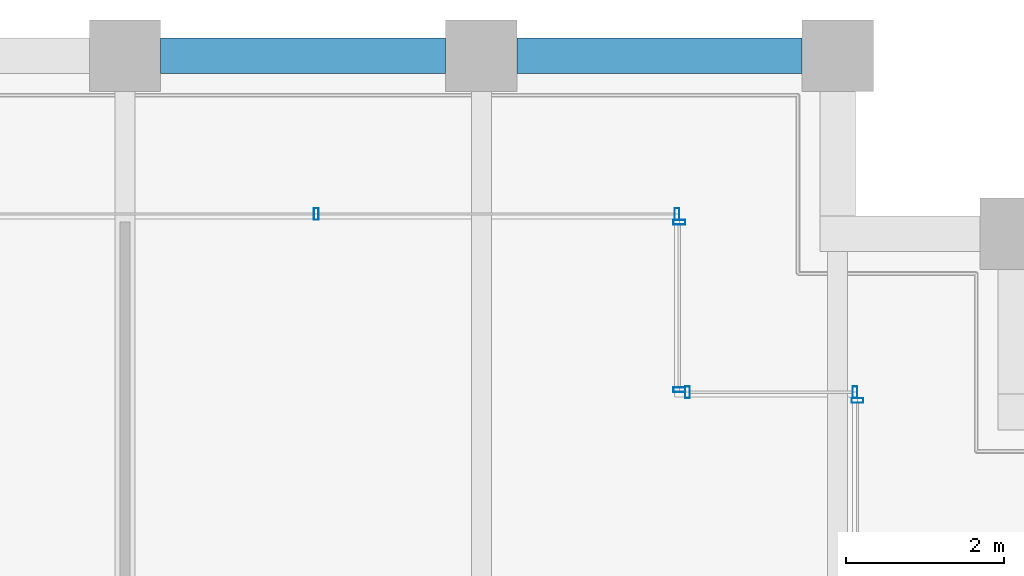
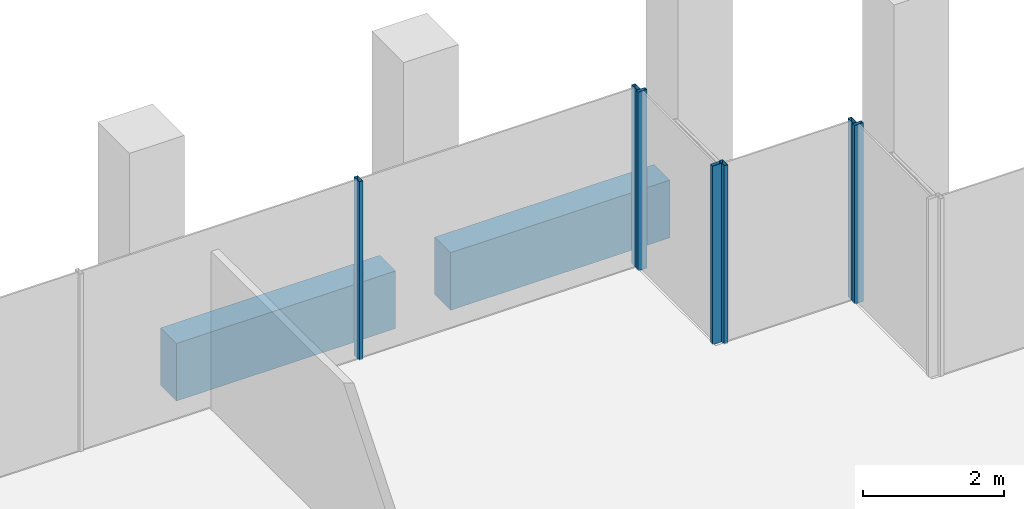
# One storey, part 26 of 40: 7 members, 2 beams, 4 elements without a shape of their own.
"""IFC4 building model written with IfcOpenShell, lengths in metres."""

from ifc_helpers import new_model, si_unit, direction, frame, origin, origin_2d, place, context, subcontext, project, spatial, rectangle, hollow_rectangle, extrude, material, material_profile, profile_set, type_object, element, aggregate, save


model = new_model("IFC4")

# Units and contexts
model_context = context("Model", 3, precision=1e-05, world=origin(), true_north=direction((0.0, 1.0)))
body_context = subcontext(model_context, "Body", "Model", "MODEL_VIEW")
ifc_project = project(units=[si_unit("LENGTHUNIT", "METRE"), si_unit("AREAUNIT", "SQUARE_METRE"), si_unit("VOLUMEUNIT", "CUBIC_METRE"), si_unit("PLANEANGLEUNIT", "RADIAN"), si_unit("MASSUNIT", "GRAM", prefix="KILO")], contexts=[model_context])

# Site, building, storey
site_placement = place(None, origin())
site = spatial("IfcSite", under=ifc_project, at=site_placement, CompositionType="ELEMENT")
building_placement = place(site_placement, origin())
building = spatial("IfcBuilding", under=site, at=building_placement, Name="Altepetl Exchange Towers", CompositionType="ELEMENT")
storey_placement = place(building_placement, frame((0.0, 0.0, 151.0)))
storey = spatial("IfcBuildingStorey", under=building, at=storey_placement, Name="L37", CompositionType="ELEMENT", Elevation=151.0)

# Curtain wall, member
ifc_material_1 = material(Name="Aluminium 6063-T6 glazing", Category="aluminium")
curtain_wall_type = type_object("IfcCurtainWallType", Name="Loggia glazing system", PredefinedType="NOTDEFINED", material=ifc_material_1)
curtain_wall_1_placement = place(storey_placement, origin())
curtain_wall_1 = element("IfcCurtainWall", 1, at=curtain_wall_1_placement, inside=storey, type_object=curtain_wall_type, Name="CW1 run", PredefinedType="NOTDEFINED")
ifc_material_2 = material(Name="Aluminium 6063-T6", Category="aluminium")
ifc_material_profile_1 = material_profile(ifc_material_2, hollow_rectangle(XDim=0.06005859375, YDim=0.14990234375, WallThickness=0.0029296875, at=origin_2d()), Name="Mullion 60x150 aluminium")
ifc_profile_set_1 = profile_set([ifc_material_profile_1], Name="Aluminium 6063-T6")
member_type = type_object("IfcMemberType", Name="Mullion 60x150 aluminium", PredefinedType="MULLION", material=ifc_profile_set_1)
member_1_placement = place(storey_placement, frame((67.75, 67.64501953125, 0.0), z_axis=(0.0, 0.0, 1.0), x_axis=(0.0, 1.0, 0.0)))
member_1 = element("IfcMember", 2, at=member_1_placement, type_object=member_type, Name="MU1 mullion", PredefinedType="MULLION", context=body_context, shape_type="SweptSolid", body=[
    extrude(hollow_rectangle(XDim=0.06005859375, YDim=0.14990234375, WallThickness=0.0029296875, at=origin_2d()), origin(), (0.0, 0.0, 1.0), 3.10009765625),
])
aggregate(curtain_wall_1, [member_1])

# Curtain wall, members
curtain_wall_2_placement = place(storey_placement, origin())
curtain_wall_2 = element("IfcCurtainWall", 3, at=curtain_wall_2_placement, inside=storey, type_object=curtain_wall_type, Name="CW1 run", PredefinedType="NOTDEFINED")
member_2_placement = place(storey_placement, frame((67.719970703125, 67.75, 0.0), z_axis=(0.0, 0.0, 1.0), x_axis=(-1.0, 0.0, 0.0)))
member_2 = element("IfcMember", 4, at=member_2_placement, type_object=member_type, Name="MU1 mullion", PredefinedType="MULLION", context=body_context, shape_type="SweptSolid", body=[
    extrude(hollow_rectangle(XDim=0.06005859375, YDim=0.14990234375, WallThickness=0.0029296875, at=origin_2d()), origin(), (0.0, 0.0, 1.0), 3.10009765625),
])
member_3_placement = place(storey_placement, frame((65.60498046875, 67.75, 0.0), z_axis=(0.0, 0.0, 1.0), x_axis=(-1.0, 0.0, 0.0)))
member_3 = element("IfcMember", 5, at=member_3_placement, type_object=member_type, Name="MU1 mullion", PredefinedType="MULLION", context=body_context, shape_type="SweptSolid", body=[
    extrude(hollow_rectangle(XDim=0.06005859375, YDim=0.14990234375, WallThickness=0.0029296875, at=origin_2d()), origin(), (0.0, 0.0, 1.0), 3.10009765625),
])
aggregate(curtain_wall_2, [member_2, member_3])

curtain_wall_3_placement = place(storey_placement, origin())
curtain_wall_3 = element("IfcCurtainWall", 6, at=curtain_wall_3_placement, inside=storey, type_object=curtain_wall_type, Name="CW1 run", PredefinedType="NOTDEFINED")
member_4_placement = place(storey_placement, frame((65.5, 67.780029296875, 0.0), z_axis=(0.0, 0.0, 1.0), x_axis=(0.0, 1.0, 0.0)))
member_4 = element("IfcMember", 7, at=member_4_placement, type_object=member_type, Name="MU1 mullion", PredefinedType="MULLION", context=body_context, shape_type="SweptSolid", body=[
    extrude(hollow_rectangle(XDim=0.06005859375, YDim=0.14990234375, WallThickness=0.0029296875, at=origin_2d()), origin(), (0.0, 0.0, 1.0), 3.10009765625),
])
member_5_placement = place(storey_placement, frame((65.5, 69.89501953125, 0.0), z_axis=(0.0, 0.0, 1.0), x_axis=(0.0, 1.0, 0.0)))
member_5 = element("IfcMember", 8, at=member_5_placement, type_object=member_type, Name="MU1 mullion", PredefinedType="MULLION", context=body_context, shape_type="SweptSolid", body=[
    extrude(hollow_rectangle(XDim=0.06005859375, YDim=0.14990234375, WallThickness=0.0029296875, at=origin_2d()), origin(), (0.0, 0.0, 1.0), 3.10009765625),
])
aggregate(curtain_wall_3, [member_4, member_5])

curtain_wall_4_placement = place(storey_placement, origin())
curtain_wall_4 = element("IfcCurtainWall", 9, at=curtain_wall_4_placement, inside=storey, type_object=curtain_wall_type, Name="CW1 run", PredefinedType="NOTDEFINED")
member_6_placement = place(storey_placement, frame((65.469970703125, 70.0, 0.0), z_axis=(0.0, 0.0, 1.0), x_axis=(-1.0, 0.0, 0.0)))
member_6 = element("IfcMember", 10, at=member_6_placement, type_object=member_type, Name="MU1 mullion", PredefinedType="MULLION", context=body_context, shape_type="SweptSolid", body=[
    extrude(hollow_rectangle(XDim=0.06005859375, YDim=0.14990234375, WallThickness=0.0029296875, at=origin_2d()), origin(), (0.0, 0.0, 1.0), 3.10009765625),
])
member_7_placement = place(storey_placement, frame((60.9150390625, 70.0, 0.0), z_axis=(0.0, 0.0, 1.0), x_axis=(-1.0, 0.0, 0.0)))
member_7 = element("IfcMember", 11, at=member_7_placement, type_object=member_type, Name="MU1 mullion", PredefinedType="MULLION", context=body_context, shape_type="SweptSolid", body=[
    extrude(hollow_rectangle(XDim=0.06005859375, YDim=0.14990234375, WallThickness=0.0029296875, at=origin_2d()), origin(), (0.0, 0.0, 1.0), 3.10009765625),
])
aggregate(curtain_wall_4, [member_6, member_7])

# Beams
ifc_material_3 = material(Name="Concrete C50/60 precast with cantera rosa facing", Category="concrete")
ifc_material_profile_2 = material_profile(ifc_material_3, rectangle(XDim=0.449951171875, YDim=1.0, at=origin_2d()), Name="450 x 1000")
ifc_profile_set_2 = profile_set([ifc_material_profile_2], Name="Concrete C50/60 precast with cantera rosa facing")
beam_type = type_object("IfcBeamType", Name="Spandrel beam 450x1000 cantera rosa", PredefinedType="SPANDREL", material=ifc_profile_set_2)
for number, where, z_axis, x_axis, name in (
    (12, (67.050048828125, 72.0, -0.64990234375), (-1.0, 0.0, 0.0), (0.0, -1.0, 0.0), "sp:A:L37:024"),
    (13, (62.550048828125, 72.0, -0.64990234375), (-1.0, 0.0, 0.0), (0.0, -1.0, 0.0), "sp:A:L37:025"),
):
    element("IfcBeam", number, at=place(storey_placement, frame(where, z_axis=z_axis, x_axis=x_axis)), inside=storey, type_object=beam_type, Name=name, PredefinedType="SPANDREL", context=body_context, shape_type="SweptSolid", body=[
        extrude(rectangle(XDim=0.449951171875, YDim=1.0, at=origin_2d()), origin(), (0.0, 0.0, 1.0), 3.60009765625),
    ])

save(model, "model.ifc")
